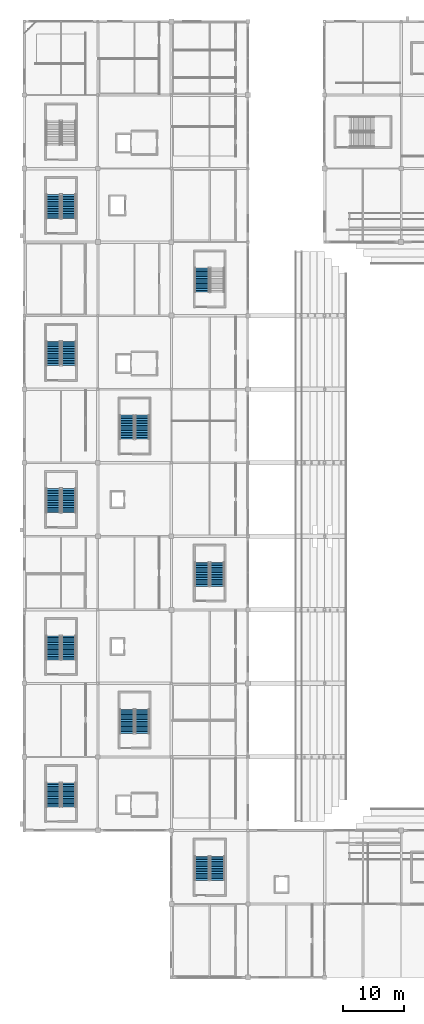
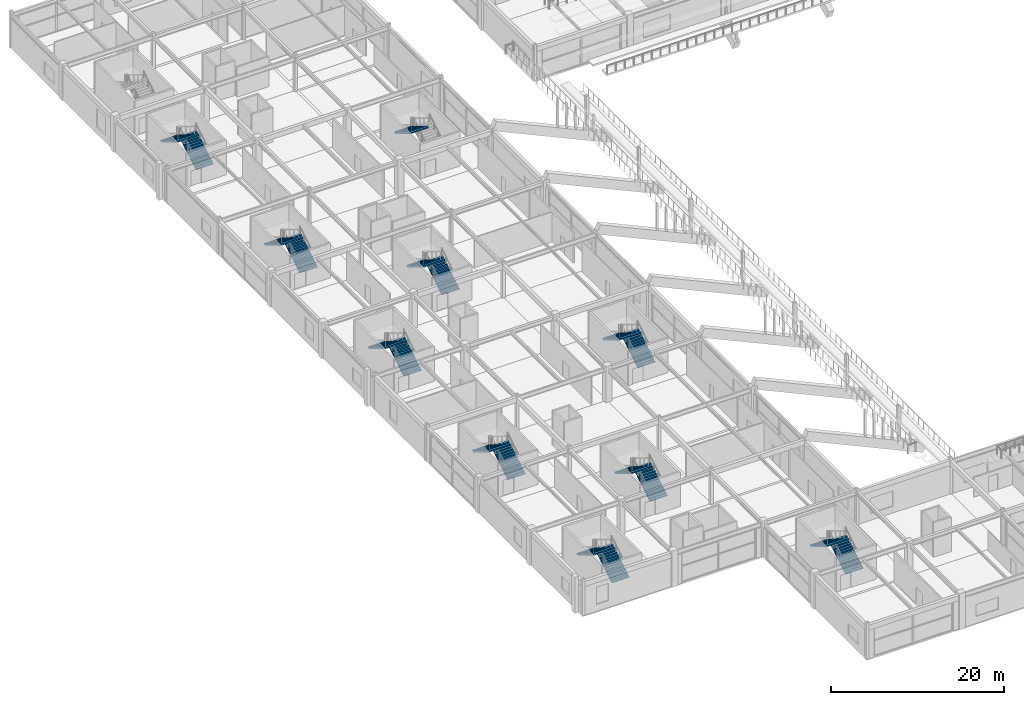
# One storey, part 100 of 128: 19 stair flights, 10 elements without a shape of their own.
"""IFC4 building model written with IfcOpenShell, lengths in metres."""

from ifc_helpers import new_model, si_unit, direction, frame, origin, place, context, subcontext, project, spatial, polyline, outline, extrude, material, type_object, element, aggregate, save


model = new_model("IFC4")

# Units and contexts
model_context = context("Model", 3, precision=1e-05, world=origin(), true_north=direction((0.0, 1.0)))
body_context = subcontext(model_context, "Body", "Model", "MODEL_VIEW")
ifc_project = project(units=[si_unit("LENGTHUNIT", "METRE"), si_unit("AREAUNIT", "SQUARE_METRE"), si_unit("VOLUMEUNIT", "CUBIC_METRE"), si_unit("PLANEANGLEUNIT", "RADIAN"), si_unit("MASSUNIT", "GRAM", prefix="KILO")], contexts=[model_context])

# Site, building, storey
site_placement = place(None, origin())
site = spatial("IfcSite", under=ifc_project, at=site_placement, CompositionType="ELEMENT")
building_placement = place(site_placement, origin())
building = spatial("IfcBuilding", under=site, at=building_placement, Name="Kazenohara Klinker Stadium", CompositionType="ELEMENT")
storey_placement = place(building_placement, frame((0.0, 0.0, 15.300048828125)))
storey = spatial("IfcBuildingStorey", under=building, at=storey_placement, Name="L03", CompositionType="ELEMENT", Elevation=15.300048828125)

# Stair, stair flights
ifc_material = material(Name="Concrete C40/50", Category="concrete")
stair_type_1 = type_object("IfcStairType", Name="STR-DL-2300", PredefinedType="HALF_TURN_STAIR", material=ifc_material)
stair_1_placement = place(storey_placement, origin())
stair_1 = element("IfcStair", 1, at=stair_1_placement, inside=storey, type_object=stair_type_1, Name="L03 Enclosed escape stair ST01", PredefinedType="HALF_TURN_STAIR")
stair_flight_type_1 = type_object("IfcStairFlightType", Name="FLT-DL-2300-5100", PredefinedType="STRAIGHT", material=ifc_material)
stair_flight_1_placement = place(storey_placement, frame((7.25, 39.840087890625, 0.0), z_axis=(0.0, 0.0, 1.0), x_axis=(0.0, 1.0, 0.0)))
stair_flight_1 = element("IfcStairFlight", 2, at=stair_flight_1_placement, type_object=stair_flight_type_1, Name="ST01 flight 1", NumberOfRisers=15, NumberOfTreads=14, PredefinedType="STRAIGHT", RiserHeight=0.17, TreadLength=0.28, context=body_context, shape_type="SweptSolid", body=[
    extrude(outline(polyline([(0.0, 0.0), (0.0, 0.169921875), (0.280029296875, 0.169921875), (0.280029296875, 0.340087890625), (0.56005859375, 0.340087890625), (0.56005859375, 0.510009765625), (0.840087890625, 0.510009765625), (0.840087890625, 0.679931640625), (1.1201171875, 0.679931640625), (1.1201171875, 0.85009765625), (1.39990234375, 0.85009765625), (1.39990234375, 1.02001953125), (1.679931640625, 1.02001953125), (1.679931640625, 1.18994140625), (1.9599609375, 1.18994140625), (1.9599609375, 1.360107421875), (2.239990234375, 1.360107421875), (2.239990234375, 1.530029296875), (2.52001953125, 1.530029296875), (2.52001953125, 1.699951171875), (2.800048828125, 1.699951171875), (2.800048828125, 1.8701171875), (3.080078125, 1.8701171875), (3.080078125, 2.0400390625), (3.360107421875, 2.0400390625), (3.360107421875, 2.2099609375), (3.639892578125, 2.2099609375), (3.639892578125, 2.3798828125), (3.919921875, 2.3798828125), (3.919921875, 2.550048828125), (3.919921875, 2.20458984375), (0.288818359375, 0.0), (0.0, 0.0)])), frame((0.0, 1.14990234375, 0.0), z_axis=(0.0, -1.0, 0.0), x_axis=(1.0, 0.0, 0.0)), (0.0, 0.0, 1.0), 2.300048828125),
])
stair_flight_2_placement = place(storey_placement, frame((4.75, 43.760009765625, 2.550048828125), z_axis=(0.0, 0.0, 1.0), x_axis=(0.0, -1.0, 0.0)))
stair_flight_2 = element("IfcStairFlight", 3, at=stair_flight_2_placement, type_object=stair_flight_type_1, Name="ST01 flight 2", NumberOfRisers=15, NumberOfTreads=14, PredefinedType="STRAIGHT", RiserHeight=0.17, TreadLength=0.28, context=body_context, shape_type="SweptSolid", body=[
    extrude(outline(polyline([(0.0, 0.0), (0.0, 0.169921875), (0.280029296875, 0.169921875), (0.280029296875, 0.340087890625), (0.56005859375, 0.340087890625), (0.56005859375, 0.510009765625), (0.840087890625, 0.510009765625), (0.840087890625, 0.679931640625), (1.1201171875, 0.679931640625), (1.1201171875, 0.85009765625), (1.39990234375, 0.85009765625), (1.39990234375, 1.02001953125), (1.679931640625, 1.02001953125), (1.679931640625, 1.18994140625), (1.9599609375, 1.18994140625), (1.9599609375, 1.360107421875), (2.239990234375, 1.360107421875), (2.239990234375, 1.530029296875), (2.52001953125, 1.530029296875), (2.52001953125, 1.699951171875), (2.800048828125, 1.699951171875), (2.800048828125, 1.8701171875), (3.080078125, 1.8701171875), (3.080078125, 2.0400390625), (3.360107421875, 2.0400390625), (3.360107421875, 2.2099609375), (3.639892578125, 2.2099609375), (3.639892578125, 2.3798828125), (3.919921875, 2.3798828125), (3.919921875, 2.550048828125), (3.919921875, 2.20458984375), (0.288818359375, 0.0), (0.0, 0.0)])), frame((0.0, 1.14990234375, 0.0), z_axis=(0.0, -1.0, 0.0), x_axis=(1.0, 0.0, 0.0)), (0.0, 0.0, 1.0), 2.300048828125),
])
aggregate(stair_1, [stair_flight_1, stair_flight_2])

stair_2_placement = place(storey_placement, origin())
stair_2 = element("IfcStair", 4, at=stair_2_placement, inside=storey, type_object=stair_type_1, Name="L03 Enclosed escape stair ST05", PredefinedType="HALF_TURN_STAIR")
stair_flight_3_placement = place(storey_placement, frame((7.25, 135.840087890625, 0.0), z_axis=(0.0, 0.0, 1.0), x_axis=(0.0, 1.0, 0.0)))
stair_flight_3 = element("IfcStairFlight", 5, at=stair_flight_3_placement, type_object=stair_flight_type_1, Name="ST05 flight 1", NumberOfRisers=15, NumberOfTreads=14, PredefinedType="STRAIGHT", RiserHeight=0.17, TreadLength=0.28, context=body_context, shape_type="SweptSolid", body=[
    extrude(outline(polyline([(0.0, 0.0), (0.0, 0.169921875), (0.280029296875, 0.169921875), (0.280029296875, 0.340087890625), (0.56005859375, 0.340087890625), (0.56005859375, 0.510009765625), (0.840087890625, 0.510009765625), (0.840087890625, 0.679931640625), (1.1201171875, 0.679931640625), (1.1201171875, 0.85009765625), (1.39990234375, 0.85009765625), (1.39990234375, 1.02001953125), (1.679931640625, 1.02001953125), (1.679931640625, 1.18994140625), (1.9599609375, 1.18994140625), (1.9599609375, 1.360107421875), (2.239990234375, 1.360107421875), (2.239990234375, 1.530029296875), (2.52001953125, 1.530029296875), (2.52001953125, 1.699951171875), (2.800048828125, 1.699951171875), (2.800048828125, 1.8701171875), (3.080078125, 1.8701171875), (3.080078125, 2.0400390625), (3.360107421875, 2.0400390625), (3.360107421875, 2.2099609375), (3.639892578125, 2.2099609375), (3.639892578125, 2.3798828125), (3.919921875, 2.3798828125), (3.919921875, 2.550048828125), (3.919921875, 2.20458984375), (0.288818359375, 0.0), (0.0, 0.0)])), frame((0.0, 1.14990234375, 0.0), z_axis=(0.0, -1.0, 0.0), x_axis=(1.0, 0.0, 0.0)), (0.0, 0.0, 1.0), 2.300048828125),
])
stair_flight_4_placement = place(storey_placement, frame((4.75, 139.760009765625, 2.550048828125), z_axis=(0.0, 0.0, 1.0), x_axis=(0.0, -1.0, 0.0)))
stair_flight_4 = element("IfcStairFlight", 6, at=stair_flight_4_placement, type_object=stair_flight_type_1, Name="ST05 flight 2", NumberOfRisers=15, NumberOfTreads=14, PredefinedType="STRAIGHT", RiserHeight=0.17, TreadLength=0.28, context=body_context, shape_type="SweptSolid", body=[
    extrude(outline(polyline([(0.0, 0.0), (0.0, 0.169921875), (0.280029296875, 0.169921875), (0.280029296875, 0.340087890625), (0.56005859375, 0.340087890625), (0.56005859375, 0.510009765625), (0.840087890625, 0.510009765625), (0.840087890625, 0.679931640625), (1.1201171875, 0.679931640625), (1.1201171875, 0.85009765625), (1.39990234375, 0.85009765625), (1.39990234375, 1.02001953125), (1.679931640625, 1.02001953125), (1.679931640625, 1.18994140625), (1.9599609375, 1.18994140625), (1.9599609375, 1.360107421875), (2.239990234375, 1.360107421875), (2.239990234375, 1.530029296875), (2.52001953125, 1.530029296875), (2.52001953125, 1.699951171875), (2.800048828125, 1.699951171875), (2.800048828125, 1.8701171875), (3.080078125, 1.8701171875), (3.080078125, 2.0400390625), (3.360107421875, 2.0400390625), (3.360107421875, 2.2099609375), (3.639892578125, 2.2099609375), (3.639892578125, 2.3798828125), (3.919921875, 2.3798828125), (3.919921875, 2.550048828125), (3.919921875, 2.20458984375), (0.288818359375, 0.0), (0.0, 0.0)])), frame((0.0, 1.14990234375, 0.0), z_axis=(0.0, -1.0, 0.0), x_axis=(1.0, 0.0, 0.0)), (0.0, 0.0, 1.0), 2.300048828125),
])
aggregate(stair_2, [stair_flight_3, stair_flight_4])

stair_3_placement = place(storey_placement, origin())
stair_3 = element("IfcStair", 7, at=stair_3_placement, inside=storey, type_object=stair_type_1, Name="L03 Enclosed escape stair ST13", PredefinedType="HALF_TURN_STAIR")
stair_flight_5_placement = place(storey_placement, frame((19.25, 51.840087890625, 0.0), z_axis=(0.0, 0.0, 1.0), x_axis=(0.0, 1.0, 0.0)))
stair_flight_5 = element("IfcStairFlight", 8, at=stair_flight_5_placement, type_object=stair_flight_type_1, Name="ST13 flight 1", NumberOfRisers=15, NumberOfTreads=14, PredefinedType="STRAIGHT", RiserHeight=0.17, TreadLength=0.28, context=body_context, shape_type="SweptSolid", body=[
    extrude(outline(polyline([(0.0, 0.0), (0.0, 0.169921875), (0.280029296875, 0.169921875), (0.280029296875, 0.340087890625), (0.56005859375, 0.340087890625), (0.56005859375, 0.510009765625), (0.840087890625, 0.510009765625), (0.840087890625, 0.679931640625), (1.1201171875, 0.679931640625), (1.1201171875, 0.85009765625), (1.39990234375, 0.85009765625), (1.39990234375, 1.02001953125), (1.679931640625, 1.02001953125), (1.679931640625, 1.18994140625), (1.9599609375, 1.18994140625), (1.9599609375, 1.360107421875), (2.239990234375, 1.360107421875), (2.239990234375, 1.530029296875), (2.52001953125, 1.530029296875), (2.52001953125, 1.699951171875), (2.800048828125, 1.699951171875), (2.800048828125, 1.8701171875), (3.080078125, 1.8701171875), (3.080078125, 2.0400390625), (3.360107421875, 2.0400390625), (3.360107421875, 2.2099609375), (3.639892578125, 2.2099609375), (3.639892578125, 2.3798828125), (3.919921875, 2.3798828125), (3.919921875, 2.550048828125), (3.919921875, 2.20458984375), (0.288818359375, 0.0), (0.0, 0.0)])), frame((0.0, 1.14990234375, 0.0), z_axis=(0.0, -1.0, 0.0), x_axis=(1.0, 0.0, 0.0)), (0.0, 0.0, 1.0), 2.300048828125),
])
stair_flight_6_placement = place(storey_placement, frame((16.75, 55.760009765625, 2.550048828125), z_axis=(0.0, 0.0, 1.0), x_axis=(0.0, -1.0, 0.0)))
stair_flight_6 = element("IfcStairFlight", 9, at=stair_flight_6_placement, type_object=stair_flight_type_1, Name="ST13 flight 2", NumberOfRisers=15, NumberOfTreads=14, PredefinedType="STRAIGHT", RiserHeight=0.17, TreadLength=0.28, context=body_context, shape_type="SweptSolid", body=[
    extrude(outline(polyline([(0.0, 0.0), (0.0, 0.169921875), (0.280029296875, 0.169921875), (0.280029296875, 0.340087890625), (0.56005859375, 0.340087890625), (0.56005859375, 0.510009765625), (0.840087890625, 0.510009765625), (0.840087890625, 0.679931640625), (1.1201171875, 0.679931640625), (1.1201171875, 0.85009765625), (1.39990234375, 0.85009765625), (1.39990234375, 1.02001953125), (1.679931640625, 1.02001953125), (1.679931640625, 1.18994140625), (1.9599609375, 1.18994140625), (1.9599609375, 1.360107421875), (2.239990234375, 1.360107421875), (2.239990234375, 1.530029296875), (2.52001953125, 1.530029296875), (2.52001953125, 1.699951171875), (2.800048828125, 1.699951171875), (2.800048828125, 1.8701171875), (3.080078125, 1.8701171875), (3.080078125, 2.0400390625), (3.360107421875, 2.0400390625), (3.360107421875, 2.2099609375), (3.639892578125, 2.2099609375), (3.639892578125, 2.3798828125), (3.919921875, 2.3798828125), (3.919921875, 2.550048828125), (3.919921875, 2.20458984375), (0.288818359375, 0.0), (0.0, 0.0)])), frame((0.0, 1.14990234375, 0.0), z_axis=(0.0, -1.0, 0.0), x_axis=(1.0, 0.0, 0.0)), (0.0, 0.0, 1.0), 2.300048828125),
])
aggregate(stair_3, [stair_flight_5, stair_flight_6])

stair_4_placement = place(storey_placement, origin())
stair_4 = element("IfcStair", 10, at=stair_4_placement, inside=storey, type_object=stair_type_1, Name="L03 Enclosed escape stair ST17", PredefinedType="HALF_TURN_STAIR")
stair_flight_7_placement = place(storey_placement, frame((31.5, 75.840087890625, 0.0), z_axis=(0.0, 0.0, 1.0), x_axis=(0.0, 1.0, 0.0)))
stair_flight_7 = element("IfcStairFlight", 11, at=stair_flight_7_placement, type_object=stair_flight_type_1, Name="ST17 flight 1", NumberOfRisers=15, NumberOfTreads=14, PredefinedType="STRAIGHT", RiserHeight=0.17, TreadLength=0.28, context=body_context, shape_type="SweptSolid", body=[
    extrude(outline(polyline([(0.0, 0.0), (0.0, 0.169921875), (0.280029296875, 0.169921875), (0.280029296875, 0.340087890625), (0.56005859375, 0.340087890625), (0.56005859375, 0.510009765625), (0.840087890625, 0.510009765625), (0.840087890625, 0.679931640625), (1.1201171875, 0.679931640625), (1.1201171875, 0.85009765625), (1.39990234375, 0.85009765625), (1.39990234375, 1.02001953125), (1.679931640625, 1.02001953125), (1.679931640625, 1.18994140625), (1.9599609375, 1.18994140625), (1.9599609375, 1.360107421875), (2.239990234375, 1.360107421875), (2.239990234375, 1.530029296875), (2.52001953125, 1.530029296875), (2.52001953125, 1.699951171875), (2.800048828125, 1.699951171875), (2.800048828125, 1.8701171875), (3.080078125, 1.8701171875), (3.080078125, 2.0400390625), (3.360107421875, 2.0400390625), (3.360107421875, 2.2099609375), (3.639892578125, 2.2099609375), (3.639892578125, 2.3798828125), (3.919921875, 2.3798828125), (3.919921875, 2.550048828125), (3.919921875, 2.20458984375), (0.288818359375, 0.0), (0.0, 0.0)])), frame((0.0, 1.14990234375, 0.0), z_axis=(0.0, -1.0, 0.0), x_axis=(1.0, 0.0, 0.0)), (0.0, 0.0, 1.0), 2.300048828125),
])
stair_flight_8_placement = place(storey_placement, frame((29.0, 79.760009765625, 2.550048828125), z_axis=(0.0, 0.0, 1.0), x_axis=(0.0, -1.0, 0.0)))
stair_flight_8 = element("IfcStairFlight", 12, at=stair_flight_8_placement, type_object=stair_flight_type_1, Name="ST17 flight 2", NumberOfRisers=15, NumberOfTreads=14, PredefinedType="STRAIGHT", RiserHeight=0.17, TreadLength=0.28, context=body_context, shape_type="SweptSolid", body=[
    extrude(outline(polyline([(0.0, 0.0), (0.0, 0.169921875), (0.280029296875, 0.169921875), (0.280029296875, 0.340087890625), (0.56005859375, 0.340087890625), (0.56005859375, 0.510009765625), (0.840087890625, 0.510009765625), (0.840087890625, 0.679931640625), (1.1201171875, 0.679931640625), (1.1201171875, 0.85009765625), (1.39990234375, 0.85009765625), (1.39990234375, 1.02001953125), (1.679931640625, 1.02001953125), (1.679931640625, 1.18994140625), (1.9599609375, 1.18994140625), (1.9599609375, 1.360107421875), (2.239990234375, 1.360107421875), (2.239990234375, 1.530029296875), (2.52001953125, 1.530029296875), (2.52001953125, 1.699951171875), (2.800048828125, 1.699951171875), (2.800048828125, 1.8701171875), (3.080078125, 1.8701171875), (3.080078125, 2.0400390625), (3.360107421875, 2.0400390625), (3.360107421875, 2.2099609375), (3.639892578125, 2.2099609375), (3.639892578125, 2.3798828125), (3.919921875, 2.3798828125), (3.919921875, 2.550048828125), (3.919921875, 2.20458984375), (0.288818359375, 0.0), (0.0, 0.0)])), frame((0.0, 1.14990234375, 0.0), z_axis=(0.0, -1.0, 0.0), x_axis=(1.0, 0.0, 0.0)), (0.0, 0.0, 1.0), 2.300048828125),
])
aggregate(stair_4, [stair_flight_7, stair_flight_8])

stair_type_2 = type_object("IfcStairType", Name="STR-DL-2310", PredefinedType="HALF_TURN_STAIR", material=ifc_material)
stair_5_placement = place(storey_placement, origin())
stair_5 = element("IfcStair", 13, at=stair_5_placement, inside=storey, type_object=stair_type_2, Name="L03 Enclosed escape stair ST02", PredefinedType="HALF_TURN_STAIR")
stair_flight_type_2 = type_object("IfcStairFlightType", Name="FLT-DL-2310-5100", PredefinedType="STRAIGHT", material=ifc_material)
stair_flight_9_placement = place(storey_placement, frame((7.2548828125, 63.85009765625, 0.0), z_axis=(0.0, 0.0, 1.0), x_axis=(0.0, 1.0, 0.0)))
stair_flight_9 = element("IfcStairFlight", 14, at=stair_flight_9_placement, type_object=stair_flight_type_2, Name="ST02 flight 1", NumberOfRisers=15, NumberOfTreads=14, PredefinedType="STRAIGHT", RiserHeight=0.17, TreadLength=0.28, context=body_context, shape_type="SweptSolid", body=[
    extrude(outline(polyline([(0.0, 0.0), (0.0, 0.169921875), (0.280029296875, 0.169921875), (0.280029296875, 0.340087890625), (0.56005859375, 0.340087890625), (0.56005859375, 0.510009765625), (0.840087890625, 0.510009765625), (0.840087890625, 0.679931640625), (1.1201171875, 0.679931640625), (1.1201171875, 0.85009765625), (1.39990234375, 0.85009765625), (1.39990234375, 1.02001953125), (1.679931640625, 1.02001953125), (1.679931640625, 1.18994140625), (1.9599609375, 1.18994140625), (1.9599609375, 1.360107421875), (2.239990234375, 1.360107421875), (2.239990234375, 1.530029296875), (2.52001953125, 1.530029296875), (2.52001953125, 1.699951171875), (2.800048828125, 1.699951171875), (2.800048828125, 1.8701171875), (3.080078125, 1.8701171875), (3.080078125, 2.0400390625), (3.360107421875, 2.0400390625), (3.360107421875, 2.2099609375), (3.639892578125, 2.2099609375), (3.639892578125, 2.3798828125), (3.919921875, 2.3798828125), (3.919921875, 2.550048828125), (3.919921875, 2.20458984375), (0.288818359375, 0.0), (0.0, 0.0)])), frame((0.0, 1.155029296875, 0.0), z_axis=(0.0, -1.0, 0.0), x_axis=(1.0, 0.0, 0.0)), (0.0, 0.0, 1.0), 2.31005859375),
])
stair_flight_10_placement = place(storey_placement, frame((4.7451171875, 67.77001953125, 2.550048828125), z_axis=(0.0, 0.0, 1.0), x_axis=(0.0, -1.0, 0.0)))
stair_flight_10 = element("IfcStairFlight", 15, at=stair_flight_10_placement, type_object=stair_flight_type_2, Name="ST02 flight 2", NumberOfRisers=15, NumberOfTreads=14, PredefinedType="STRAIGHT", RiserHeight=0.17, TreadLength=0.28, context=body_context, shape_type="SweptSolid", body=[
    extrude(outline(polyline([(0.0, 0.0), (0.0, 0.169921875), (0.280029296875, 0.169921875), (0.280029296875, 0.340087890625), (0.56005859375, 0.340087890625), (0.56005859375, 0.510009765625), (0.840087890625, 0.510009765625), (0.840087890625, 0.679931640625), (1.1201171875, 0.679931640625), (1.1201171875, 0.85009765625), (1.39990234375, 0.85009765625), (1.39990234375, 1.02001953125), (1.679931640625, 1.02001953125), (1.679931640625, 1.18994140625), (1.9599609375, 1.18994140625), (1.9599609375, 1.360107421875), (2.239990234375, 1.360107421875), (2.239990234375, 1.530029296875), (2.52001953125, 1.530029296875), (2.52001953125, 1.699951171875), (2.800048828125, 1.699951171875), (2.800048828125, 1.8701171875), (3.080078125, 1.8701171875), (3.080078125, 2.0400390625), (3.360107421875, 2.0400390625), (3.360107421875, 2.2099609375), (3.639892578125, 2.2099609375), (3.639892578125, 2.3798828125), (3.919921875, 2.3798828125), (3.919921875, 2.550048828125), (3.919921875, 2.20458984375), (0.288818359375, 0.0), (0.0, 0.0)])), frame((0.0, 1.155029296875, 0.0), z_axis=(0.0, -1.0, 0.0), x_axis=(1.0, 0.0, 0.0)), (0.0, 0.0, 1.0), 2.31005859375),
])
aggregate(stair_5, [stair_flight_9, stair_flight_10])

stair_6_placement = place(storey_placement, origin())
stair_6 = element("IfcStair", 16, at=stair_6_placement, inside=storey, type_object=stair_type_2, Name="L03 Enclosed escape stair ST14", PredefinedType="HALF_TURN_STAIR")
stair_flight_11_placement = place(storey_placement, frame((19.2548828125, 99.85009765625, 0.0), z_axis=(0.0, 0.0, 1.0), x_axis=(0.0, 1.0, 0.0)))
stair_flight_11 = element("IfcStairFlight", 17, at=stair_flight_11_placement, type_object=stair_flight_type_2, Name="ST14 flight 1", NumberOfRisers=15, NumberOfTreads=14, PredefinedType="STRAIGHT", RiserHeight=0.17, TreadLength=0.28, context=body_context, shape_type="SweptSolid", body=[
    extrude(outline(polyline([(0.0, 0.0), (0.0, 0.169921875), (0.280029296875, 0.169921875), (0.280029296875, 0.340087890625), (0.56005859375, 0.340087890625), (0.56005859375, 0.510009765625), (0.840087890625, 0.510009765625), (0.840087890625, 0.679931640625), (1.1201171875, 0.679931640625), (1.1201171875, 0.85009765625), (1.39990234375, 0.85009765625), (1.39990234375, 1.02001953125), (1.679931640625, 1.02001953125), (1.679931640625, 1.18994140625), (1.9599609375, 1.18994140625), (1.9599609375, 1.360107421875), (2.239990234375, 1.360107421875), (2.239990234375, 1.530029296875), (2.52001953125, 1.530029296875), (2.52001953125, 1.699951171875), (2.800048828125, 1.699951171875), (2.800048828125, 1.8701171875), (3.080078125, 1.8701171875), (3.080078125, 2.0400390625), (3.360107421875, 2.0400390625), (3.360107421875, 2.2099609375), (3.639892578125, 2.2099609375), (3.639892578125, 2.3798828125), (3.919921875, 2.3798828125), (3.919921875, 2.550048828125), (3.919921875, 2.20458984375), (0.288818359375, 0.0), (0.0, 0.0)])), frame((0.0, 1.155029296875, 0.0), z_axis=(0.0, -1.0, 0.0), x_axis=(1.0, 0.0, 0.0)), (0.0, 0.0, 1.0), 2.31005859375),
])
stair_flight_12_placement = place(storey_placement, frame((16.7451171875, 103.77001953125, 2.550048828125), z_axis=(0.0, 0.0, 1.0), x_axis=(0.0, -1.0, 0.0)))
stair_flight_12 = element("IfcStairFlight", 18, at=stair_flight_12_placement, type_object=stair_flight_type_2, Name="ST14 flight 2", NumberOfRisers=15, NumberOfTreads=14, PredefinedType="STRAIGHT", RiserHeight=0.17, TreadLength=0.28, context=body_context, shape_type="SweptSolid", body=[
    extrude(outline(polyline([(0.0, 0.0), (0.0, 0.169921875), (0.280029296875, 0.169921875), (0.280029296875, 0.340087890625), (0.56005859375, 0.340087890625), (0.56005859375, 0.510009765625), (0.840087890625, 0.510009765625), (0.840087890625, 0.679931640625), (1.1201171875, 0.679931640625), (1.1201171875, 0.85009765625), (1.39990234375, 0.85009765625), (1.39990234375, 1.02001953125), (1.679931640625, 1.02001953125), (1.679931640625, 1.18994140625), (1.9599609375, 1.18994140625), (1.9599609375, 1.360107421875), (2.239990234375, 1.360107421875), (2.239990234375, 1.530029296875), (2.52001953125, 1.530029296875), (2.52001953125, 1.699951171875), (2.800048828125, 1.699951171875), (2.800048828125, 1.8701171875), (3.080078125, 1.8701171875), (3.080078125, 2.0400390625), (3.360107421875, 2.0400390625), (3.360107421875, 2.2099609375), (3.639892578125, 2.2099609375), (3.639892578125, 2.3798828125), (3.919921875, 2.3798828125), (3.919921875, 2.550048828125), (3.919921875, 2.20458984375), (0.288818359375, 0.0), (0.0, 0.0)])), frame((0.0, 1.155029296875, 0.0), z_axis=(0.0, -1.0, 0.0), x_axis=(1.0, 0.0, 0.0)), (0.0, 0.0, 1.0), 2.31005859375),
])
aggregate(stair_6, [stair_flight_11, stair_flight_12])

# Stair, stair flight
stair_7_placement = place(storey_placement, origin())
stair_7 = element("IfcStair", 19, at=stair_7_placement, inside=storey, type_object=stair_type_2, Name="L03 Enclosed escape stair ST18", PredefinedType="HALF_TURN_STAIR")
stair_flight_13_placement = place(storey_placement, frame((28.9951171875, 127.77001953125, 2.550048828125), z_axis=(0.0, 0.0, 1.0), x_axis=(0.0, -1.0, 0.0)))
stair_flight_13 = element("IfcStairFlight", 20, at=stair_flight_13_placement, type_object=stair_flight_type_2, Name="ST18 flight 2", NumberOfRisers=15, NumberOfTreads=14, PredefinedType="STRAIGHT", RiserHeight=0.17, TreadLength=0.28, context=body_context, shape_type="SweptSolid", body=[
    extrude(outline(polyline([(0.0, 0.0), (0.0, 0.169921875), (0.280029296875, 0.169921875), (0.280029296875, 0.340087890625), (0.56005859375, 0.340087890625), (0.56005859375, 0.510009765625), (0.840087890625, 0.510009765625), (0.840087890625, 0.679931640625), (1.1201171875, 0.679931640625), (1.1201171875, 0.85009765625), (1.39990234375, 0.85009765625), (1.39990234375, 1.02001953125), (1.679931640625, 1.02001953125), (1.679931640625, 1.18994140625), (1.9599609375, 1.18994140625), (1.9599609375, 1.360107421875), (2.239990234375, 1.360107421875), (2.239990234375, 1.530029296875), (2.52001953125, 1.530029296875), (2.52001953125, 1.699951171875), (2.800048828125, 1.699951171875), (2.800048828125, 1.8701171875), (3.080078125, 1.8701171875), (3.080078125, 2.0400390625), (3.360107421875, 2.0400390625), (3.360107421875, 2.2099609375), (3.639892578125, 2.2099609375), (3.639892578125, 2.3798828125), (3.919921875, 2.3798828125), (3.919921875, 2.550048828125), (3.919921875, 2.20458984375), (0.288818359375, 0.0), (0.0, 0.0)])), frame((0.0, 1.155029296875, 0.0), z_axis=(0.0, -1.0, 0.0), x_axis=(1.0, 0.0, 0.0)), (0.0, 0.0, 1.0), 2.31005859375),
])
aggregate(stair_7, [stair_flight_13])

# Stair, stair flights
stair_type_3 = type_object("IfcStairType", Name="STR-DL-2330", PredefinedType="HALF_TURN_STAIR", material=ifc_material)
stair_8_placement = place(storey_placement, origin())
stair_8 = element("IfcStair", 21, at=stair_8_placement, inside=storey, type_object=stair_type_3, Name="L03 Enclosed escape stair ST03", PredefinedType="HALF_TURN_STAIR")
stair_flight_type_3 = type_object("IfcStairFlightType", Name="FLT-DL-2330-5100", PredefinedType="STRAIGHT", material=ifc_material)
stair_flight_14_placement = place(storey_placement, frame((7.264892578125, 87.8701171875, 0.0), z_axis=(0.0, 0.0, 1.0), x_axis=(0.0, 1.0, 0.0)))
stair_flight_14 = element("IfcStairFlight", 22, at=stair_flight_14_placement, type_object=stair_flight_type_3, Name="ST03 flight 1", NumberOfRisers=15, NumberOfTreads=14, PredefinedType="STRAIGHT", RiserHeight=0.17, TreadLength=0.28, context=body_context, shape_type="SweptSolid", body=[
    extrude(outline(polyline([(0.0, 0.0), (0.0, 0.169921875), (0.280029296875, 0.169921875), (0.280029296875, 0.340087890625), (0.56005859375, 0.340087890625), (0.56005859375, 0.510009765625), (0.840087890625, 0.510009765625), (0.840087890625, 0.679931640625), (1.1201171875, 0.679931640625), (1.1201171875, 0.85009765625), (1.39990234375, 0.85009765625), (1.39990234375, 1.02001953125), (1.679931640625, 1.02001953125), (1.679931640625, 1.18994140625), (1.9599609375, 1.18994140625), (1.9599609375, 1.360107421875), (2.239990234375, 1.360107421875), (2.239990234375, 1.530029296875), (2.52001953125, 1.530029296875), (2.52001953125, 1.699951171875), (2.800048828125, 1.699951171875), (2.800048828125, 1.8701171875), (3.080078125, 1.8701171875), (3.080078125, 2.0400390625), (3.360107421875, 2.0400390625), (3.360107421875, 2.2099609375), (3.639892578125, 2.2099609375), (3.639892578125, 2.3798828125), (3.919921875, 2.3798828125), (3.919921875, 2.550048828125), (3.919921875, 2.20458984375), (0.288818359375, 0.0), (0.0, 0.0)])), frame((0.0, 1.1650390625, 0.0), z_axis=(0.0, -1.0, 0.0), x_axis=(1.0, 0.0, 0.0)), (0.0, 0.0, 1.0), 2.330078125),
])
stair_flight_15_placement = place(storey_placement, frame((4.735107421875, 91.7900390625, 2.550048828125), z_axis=(0.0, 0.0, 1.0), x_axis=(0.0, -1.0, 0.0)))
stair_flight_15 = element("IfcStairFlight", 23, at=stair_flight_15_placement, type_object=stair_flight_type_3, Name="ST03 flight 2", NumberOfRisers=15, NumberOfTreads=14, PredefinedType="STRAIGHT", RiserHeight=0.17, TreadLength=0.28, context=body_context, shape_type="SweptSolid", body=[
    extrude(outline(polyline([(0.0, 0.0), (0.0, 0.169921875), (0.280029296875, 0.169921875), (0.280029296875, 0.340087890625), (0.56005859375, 0.340087890625), (0.56005859375, 0.510009765625), (0.840087890625, 0.510009765625), (0.840087890625, 0.679931640625), (1.1201171875, 0.679931640625), (1.1201171875, 0.85009765625), (1.39990234375, 0.85009765625), (1.39990234375, 1.02001953125), (1.679931640625, 1.02001953125), (1.679931640625, 1.18994140625), (1.9599609375, 1.18994140625), (1.9599609375, 1.360107421875), (2.239990234375, 1.360107421875), (2.239990234375, 1.530029296875), (2.52001953125, 1.530029296875), (2.52001953125, 1.699951171875), (2.800048828125, 1.699951171875), (2.800048828125, 1.8701171875), (3.080078125, 1.8701171875), (3.080078125, 2.0400390625), (3.360107421875, 2.0400390625), (3.360107421875, 2.2099609375), (3.639892578125, 2.2099609375), (3.639892578125, 2.3798828125), (3.919921875, 2.3798828125), (3.919921875, 2.550048828125), (3.919921875, 2.20458984375), (0.288818359375, 0.0), (0.0, 0.0)])), frame((0.0, 1.1650390625, 0.0), z_axis=(0.0, -1.0, 0.0), x_axis=(1.0, 0.0, 0.0)), (0.0, 0.0, 1.0), 2.330078125),
])
aggregate(stair_8, [stair_flight_14, stair_flight_15])

stair_9_placement = place(storey_placement, origin())
stair_9 = element("IfcStair", 24, at=stair_9_placement, inside=storey, type_object=stair_type_3, Name="L03 Enclosed escape stair ST07", PredefinedType="HALF_TURN_STAIR")
stair_flight_16_placement = place(storey_placement, frame((31.514892578125, 27.8701171875, 0.0), z_axis=(0.0, 0.0, 1.0), x_axis=(0.0, 1.0, 0.0)))
stair_flight_16 = element("IfcStairFlight", 25, at=stair_flight_16_placement, type_object=stair_flight_type_3, Name="ST07 flight 1", NumberOfRisers=15, NumberOfTreads=14, PredefinedType="STRAIGHT", RiserHeight=0.17, TreadLength=0.28, context=body_context, shape_type="SweptSolid", body=[
    extrude(outline(polyline([(0.0, 0.0), (0.0, 0.169921875), (0.280029296875, 0.169921875), (0.280029296875, 0.340087890625), (0.56005859375, 0.340087890625), (0.56005859375, 0.510009765625), (0.840087890625, 0.510009765625), (0.840087890625, 0.679931640625), (1.1201171875, 0.679931640625), (1.1201171875, 0.85009765625), (1.39990234375, 0.85009765625), (1.39990234375, 1.02001953125), (1.679931640625, 1.02001953125), (1.679931640625, 1.18994140625), (1.9599609375, 1.18994140625), (1.9599609375, 1.360107421875), (2.239990234375, 1.360107421875), (2.239990234375, 1.530029296875), (2.52001953125, 1.530029296875), (2.52001953125, 1.699951171875), (2.800048828125, 1.699951171875), (2.800048828125, 1.8701171875), (3.080078125, 1.8701171875), (3.080078125, 2.0400390625), (3.360107421875, 2.0400390625), (3.360107421875, 2.2099609375), (3.639892578125, 2.2099609375), (3.639892578125, 2.3798828125), (3.919921875, 2.3798828125), (3.919921875, 2.550048828125), (3.919921875, 2.20458984375), (0.288818359375, 0.0), (0.0, 0.0)])), frame((0.0, 1.1650390625, 0.0), z_axis=(0.0, -1.0, 0.0), x_axis=(1.0, 0.0, 0.0)), (0.0, 0.0, 1.0), 2.330078125),
])
stair_flight_17_placement = place(storey_placement, frame((28.985107421875, 31.7900390625, 2.550048828125), z_axis=(0.0, 0.0, 1.0), x_axis=(0.0, -1.0, 0.0)))
stair_flight_17 = element("IfcStairFlight", 26, at=stair_flight_17_placement, type_object=stair_flight_type_3, Name="ST07 flight 2", NumberOfRisers=15, NumberOfTreads=14, PredefinedType="STRAIGHT", RiserHeight=0.17, TreadLength=0.28, context=body_context, shape_type="SweptSolid", body=[
    extrude(outline(polyline([(0.0, 0.0), (0.0, 0.169921875), (0.280029296875, 0.169921875), (0.280029296875, 0.340087890625), (0.56005859375, 0.340087890625), (0.56005859375, 0.510009765625), (0.840087890625, 0.510009765625), (0.840087890625, 0.679931640625), (1.1201171875, 0.679931640625), (1.1201171875, 0.85009765625), (1.39990234375, 0.85009765625), (1.39990234375, 1.02001953125), (1.679931640625, 1.02001953125), (1.679931640625, 1.18994140625), (1.9599609375, 1.18994140625), (1.9599609375, 1.360107421875), (2.239990234375, 1.360107421875), (2.239990234375, 1.530029296875), (2.52001953125, 1.530029296875), (2.52001953125, 1.699951171875), (2.800048828125, 1.699951171875), (2.800048828125, 1.8701171875), (3.080078125, 1.8701171875), (3.080078125, 2.0400390625), (3.360107421875, 2.0400390625), (3.360107421875, 2.2099609375), (3.639892578125, 2.2099609375), (3.639892578125, 2.3798828125), (3.919921875, 2.3798828125), (3.919921875, 2.550048828125), (3.919921875, 2.20458984375), (0.288818359375, 0.0), (0.0, 0.0)])), frame((0.0, 1.1650390625, 0.0), z_axis=(0.0, -1.0, 0.0), x_axis=(1.0, 0.0, 0.0)), (0.0, 0.0, 1.0), 2.330078125),
])
aggregate(stair_9, [stair_flight_16, stair_flight_17])

stair_type_4 = type_object("IfcStairType", Name="STR-DL-2340", PredefinedType="HALF_TURN_STAIR", material=ifc_material)
stair_10_placement = place(storey_placement, origin())
stair_10 = element("IfcStair", 27, at=stair_10_placement, inside=storey, type_object=stair_type_4, Name="L03 Enclosed escape stair ST04", PredefinedType="HALF_TURN_STAIR")
stair_flight_type_4 = type_object("IfcStairFlightType", Name="FLT-DL-2340-5100", PredefinedType="STRAIGHT", material=ifc_material)
stair_flight_18_placement = place(storey_placement, frame((7.27001953125, 111.8798828125, 0.0), z_axis=(0.0, 0.0, 1.0), x_axis=(0.0, 1.0, 0.0)))
stair_flight_18 = element("IfcStairFlight", 28, at=stair_flight_18_placement, type_object=stair_flight_type_4, Name="ST04 flight 1", NumberOfRisers=15, NumberOfTreads=14, PredefinedType="STRAIGHT", RiserHeight=0.17, TreadLength=0.28, context=body_context, shape_type="SweptSolid", body=[
    extrude(outline(polyline([(0.0, 0.0), (0.0, 0.169921875), (0.280029296875, 0.169921875), (0.280029296875, 0.340087890625), (0.56005859375, 0.340087890625), (0.56005859375, 0.510009765625), (0.840087890625, 0.510009765625), (0.840087890625, 0.679931640625), (1.1201171875, 0.679931640625), (1.1201171875, 0.85009765625), (1.39990234375, 0.85009765625), (1.39990234375, 1.02001953125), (1.679931640625, 1.02001953125), (1.679931640625, 1.18994140625), (1.9599609375, 1.18994140625), (1.9599609375, 1.360107421875), (2.239990234375, 1.360107421875), (2.239990234375, 1.530029296875), (2.52001953125, 1.530029296875), (2.52001953125, 1.699951171875), (2.800048828125, 1.699951171875), (2.800048828125, 1.8701171875), (3.080078125, 1.8701171875), (3.080078125, 2.0400390625), (3.360107421875, 2.0400390625), (3.360107421875, 2.2099609375), (3.639892578125, 2.2099609375), (3.639892578125, 2.3798828125), (3.919921875, 2.3798828125), (3.919921875, 2.550048828125), (3.919921875, 2.20458984375), (0.288818359375, 0.0), (0.0, 0.0)])), frame((0.0, 1.169921875, 0.0), z_axis=(0.0, -1.0, 0.0), x_axis=(1.0, 0.0, 0.0)), (0.0, 0.0, 1.0), 2.340087890625),
])
stair_flight_19_placement = place(storey_placement, frame((4.72998046875, 115.800048828125, 2.550048828125), z_axis=(0.0, 0.0, 1.0), x_axis=(0.0, -1.0, 0.0)))
stair_flight_19 = element("IfcStairFlight", 29, at=stair_flight_19_placement, type_object=stair_flight_type_4, Name="ST04 flight 2", NumberOfRisers=15, NumberOfTreads=14, PredefinedType="STRAIGHT", RiserHeight=0.17, TreadLength=0.28, context=body_context, shape_type="SweptSolid", body=[
    extrude(outline(polyline([(0.0, 0.0), (0.0, 0.169921875), (0.280029296875, 0.169921875), (0.280029296875, 0.340087890625), (0.56005859375, 0.340087890625), (0.56005859375, 0.510009765625), (0.840087890625, 0.510009765625), (0.840087890625, 0.679931640625), (1.1201171875, 0.679931640625), (1.1201171875, 0.85009765625), (1.39990234375, 0.85009765625), (1.39990234375, 1.02001953125), (1.679931640625, 1.02001953125), (1.679931640625, 1.18994140625), (1.9599609375, 1.18994140625), (1.9599609375, 1.360107421875), (2.239990234375, 1.360107421875), (2.239990234375, 1.530029296875), (2.52001953125, 1.530029296875), (2.52001953125, 1.699951171875), (2.800048828125, 1.699951171875), (2.800048828125, 1.8701171875), (3.080078125, 1.8701171875), (3.080078125, 2.0400390625), (3.360107421875, 2.0400390625), (3.360107421875, 2.2099609375), (3.639892578125, 2.2099609375), (3.639892578125, 2.3798828125), (3.919921875, 2.3798828125), (3.919921875, 2.550048828125), (3.919921875, 2.20458984375), (0.288818359375, 0.0), (0.0, 0.0)])), frame((0.0, 1.169921875, 0.0), z_axis=(0.0, -1.0, 0.0), x_axis=(1.0, 0.0, 0.0)), (0.0, 0.0, 1.0), 2.340087890625),
])
aggregate(stair_10, [stair_flight_18, stair_flight_19])

save(model, "model.ifc")
